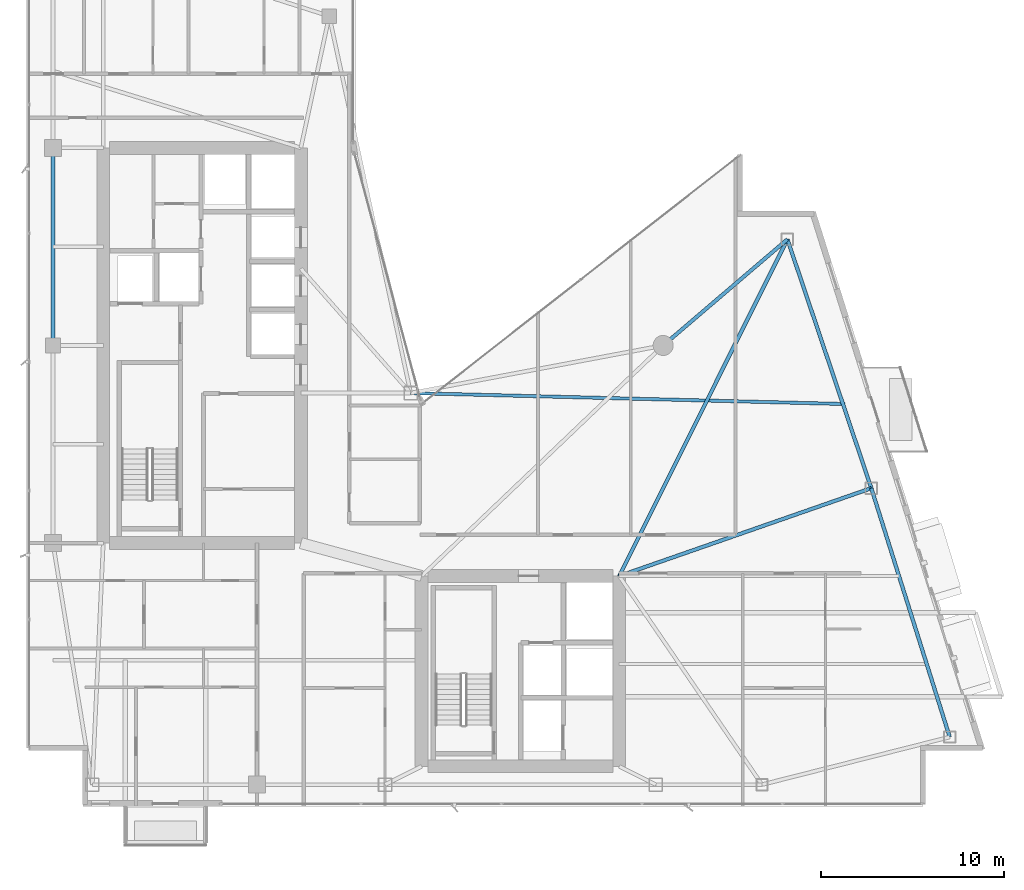
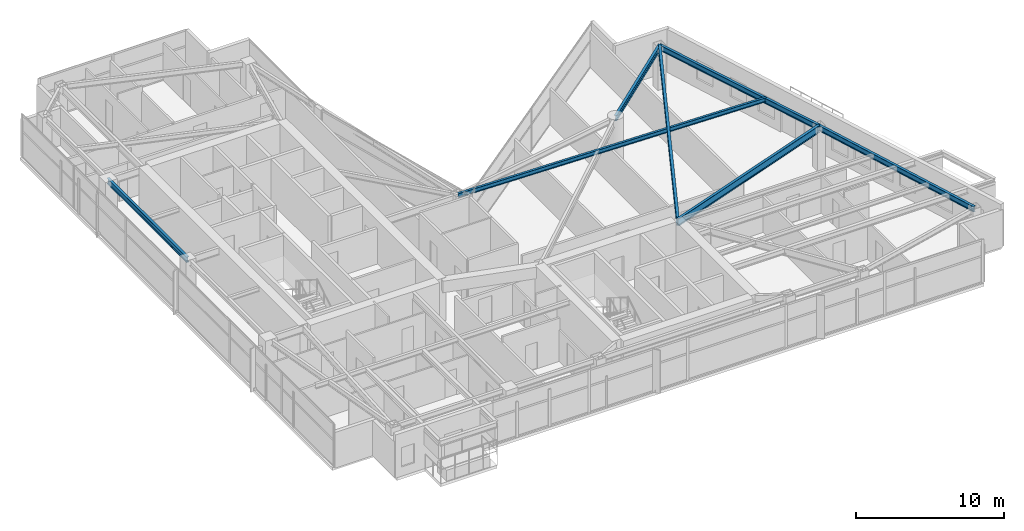
# One storey, part 15 of 29: 7 beams.
"""IFC4 building model written with IfcOpenShell, lengths in metres."""

from ifc_helpers import new_model, si_unit, direction, frame, origin, origin_2d, place, context, subcontext, project, spatial, i_section, extrude, material, material_profile, profile_set, type_object, element, save


model = new_model("IFC4")

# Units and contexts
model_context = context("Model", 3, precision=1e-05, world=origin(), true_north=direction((0.0, 1.0)))
body_context = subcontext(model_context, "Body", "Model", "MODEL_VIEW")
ifc_project = project(units=[si_unit("LENGTHUNIT", "METRE"), si_unit("AREAUNIT", "SQUARE_METRE"), si_unit("VOLUMEUNIT", "CUBIC_METRE"), si_unit("PLANEANGLEUNIT", "RADIAN"), si_unit("MASSUNIT", "GRAM", prefix="KILO")], contexts=[model_context])

# Site, building, storey
site_placement = place(None, origin())
site = spatial("IfcSite", under=ifc_project, at=site_placement, CompositionType="ELEMENT")
building_placement = place(site_placement, origin())
building = spatial("IfcBuilding", under=site, at=building_placement, Name="Calvorn Quay Hotel", CompositionType="ELEMENT")
storey_placement = place(building_placement, frame((0.0, 0.0, 211.0)))
storey = spatial("IfcBuildingStorey", under=building, at=storey_placement, Name="L52", CompositionType="ELEMENT", Elevation=211.0)

# Beams
ifc_material_1 = material(Name="Steel Q355B", Category="steel")
ifc_material_profile_1 = material_profile(ifc_material_1, i_section(OverallWidth=0.199951171875, OverallDepth=0.60009765625, WebThickness=0.010986328125, FlangeThickness=0.01708984375, FilletRadius=0.01806640625, at=origin_2d()), Name="HN600x200x11x17")
ifc_profile_set_1 = profile_set([ifc_material_profile_1], Name="Steel Q355B")
beam_type_1 = type_object("IfcBeamType", Name="BM-GIRD-TYP", PredefinedType="BEAM", material=ifc_profile_set_1)
beam_1_placement = place(storey_placement, frame((32.39990234375, 15.0, 3.239990234375), z_axis=(0.944318977239, 0.329031410699, 0.0), x_axis=(-0.329031410699, 0.944318977239, 0.0)))
element("IfcBeam", 1, at=beam_1_placement, inside=storey, type_object=beam_type_1, Name="Beam BG-L52-E2", PredefinedType="BEAM", context=body_context, shape_type="SweptSolid", body=[
    extrude(i_section(OverallWidth=0.199951171875, OverallDepth=0.60009765625, WebThickness=0.010986328125, FlangeThickness=0.01708984375, FilletRadius=0.01806640625, at=origin_2d()), origin(), (0.0, 0.0, 1.0), 14.58837890625),
])
beam_2_placement = place(storey_placement, frame((32.39990234375, 15.0, 3.239990234375), z_axis=(0.446871705446, 0.894598054364, 0.0), x_axis=(-0.894598054364, 0.446871705446, 0.0)))
element("IfcBeam", 2, at=beam_2_placement, inside=storey, type_object=beam_type_1, Name="Beam BG-L52-E3", PredefinedType="BEAM", context=body_context, shape_type="SweptSolid", body=[
    extrude(i_section(OverallWidth=0.199951171875, OverallDepth=0.60009765625, WebThickness=0.010986328125, FlangeThickness=0.01708984375, FilletRadius=0.01806640625, at=origin_2d()), origin(), (0.0, 0.0, 1.0), 20.56787109375),
])
ifc_material_2 = material(Name="Steel Q355B", Category="steel")
ifc_material_profile_2 = material_profile(ifc_material_2, i_section(OverallWidth=0.175048828125, OverallDepth=0.35009765625, WebThickness=0.007080078125, FlangeThickness=0.010986328125, FilletRadius=0.013916015625, at=origin_2d()), Name="HN350x175x7x11")
ifc_profile_set_2 = profile_set([ifc_material_profile_2], Name="Steel Q355B")
beam_type_2 = type_object("IfcBeamType", Name="BM-JOIST-SEC", PredefinedType="JOIST", material=ifc_profile_set_2)
beam_3_placement = place(storey_placement, frame((21.0, 25.0, 3.364990234375), z_axis=(0.999680318096, -0.025283623381, 0.0), x_axis=(0.025283623381, 0.999680318096, 0.0)))
element("IfcBeam", 3, at=beam_3_placement, inside=storey, type_object=beam_type_2, Name="Beam BJ-L52-E3", PredefinedType="JOIST", context=body_context, shape_type="SweptSolid", body=[
    extrude(i_section(OverallWidth=0.175048828125, OverallDepth=0.35009765625, WebThickness=0.007080078125, FlangeThickness=0.010986328125, FilletRadius=0.013916015625, at=origin_2d()), origin(), (0.0, 0.0, 1.0), 23.734619140625),
])
ifc_material_3 = material(Name="Steel Q355B", Category="steel")
ifc_material_profile_3 = material_profile(ifc_material_3, i_section(OverallWidth=0.199951171875, OverallDepth=0.449951171875, WebThickness=0.009033203125, FlangeThickness=0.013916015625, FilletRadius=0.01611328125, at=origin_2d()), Name="HN450x200x9x14")
ifc_profile_set_3 = profile_set([ifc_material_profile_3], Name="Steel Q355B")
beam_type_3 = type_object("IfcBeamType", Name="BM-SPANDREL-Z3", PredefinedType="SPANDREL", material=ifc_profile_set_3)
beam_4_placement = place(storey_placement, frame((1.449951171875, 27.60009765625, 3.31494140625), z_axis=(0.0, 1.0, 0.0), x_axis=(-1.0, 0.0, 0.0)))
element("IfcBeam", 4, at=beam_4_placement, inside=storey, type_object=beam_type_3, Name="Beam BSP-L52-W3", PredefinedType="SPANDREL", context=body_context, shape_type="SweptSolid", body=[
    extrude(i_section(OverallWidth=0.199951171875, OverallDepth=0.449951171875, WebThickness=0.009033203125, FlangeThickness=0.013916015625, FilletRadius=0.01611328125, at=origin_2d()), origin(), (0.0, 0.0, 1.0), 10.7998046875),
])
beam_5_placement = place(storey_placement, frame((50.4609375, 6.199951171875, 3.31494140625), z_axis=(-0.300502802767, 0.953780931624, 0.0), x_axis=(-0.953780931624, -0.300502802767, 0.0)))
element("IfcBeam", 5, at=beam_5_placement, inside=storey, type_object=beam_type_3, Name="Beam BSP-L52-E1", PredefinedType="SPANDREL", context=body_context, shape_type="SweptSolid", body=[
    extrude(i_section(OverallWidth=0.199951171875, OverallDepth=0.449951171875, WebThickness=0.009033203125, FlangeThickness=0.013916015625, FilletRadius=0.01611328125, at=origin_2d()), origin(), (0.0, 0.0, 1.0), 14.259033203125),
])
beam_6_placement = place(storey_placement, frame((46.176025390625, 19.800048828125, 3.31494140625), z_axis=(-0.319466515944, 0.947597564998, 0.0), x_axis=(-0.947597564998, -0.319466515944, 0.0)))
element("IfcBeam", 6, at=beam_6_placement, inside=storey, type_object=beam_type_3, Name="Beam BSP-L52-E2", PredefinedType="SPANDREL", context=body_context, shape_type="SweptSolid", body=[
    extrude(i_section(OverallWidth=0.199951171875, OverallDepth=0.449951171875, WebThickness=0.009033203125, FlangeThickness=0.013916015625, FilletRadius=0.01611328125, at=origin_2d()), origin(), (0.0, 0.0, 1.0), 14.35205078125),
])
beam_7_placement = place(storey_placement, frame((41.591064453125, 33.39990234375, 3.31494140625), z_axis=(-0.760420928616, -0.64943052848, 0.0), x_axis=(0.64943052848, -0.760420928616, 0.0)))
element("IfcBeam", 7, at=beam_7_placement, inside=storey, type_object=beam_type_3, Name="Beam BSP-L52-E3", PredefinedType="SPANDREL", context=body_context, shape_type="SweptSolid", body=[
    extrude(i_section(OverallWidth=0.199951171875, OverallDepth=0.449951171875, WebThickness=0.009033203125, FlangeThickness=0.013916015625, FilletRadius=0.01611328125, at=origin_2d()), origin(), (0.0, 0.0, 1.0), 8.9306640625),
])

save(model, "model.ifc")
